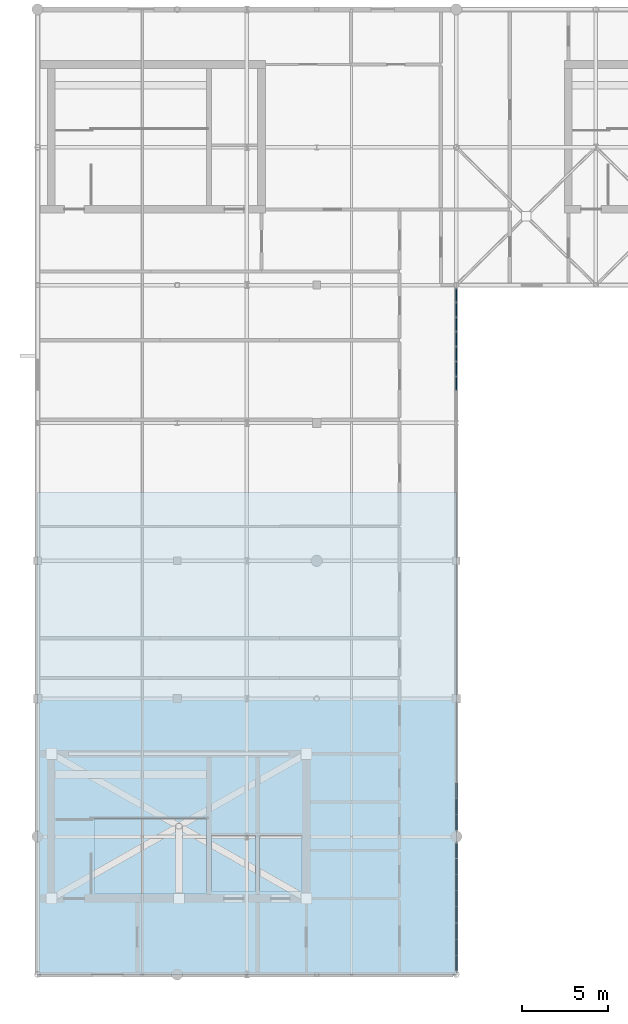
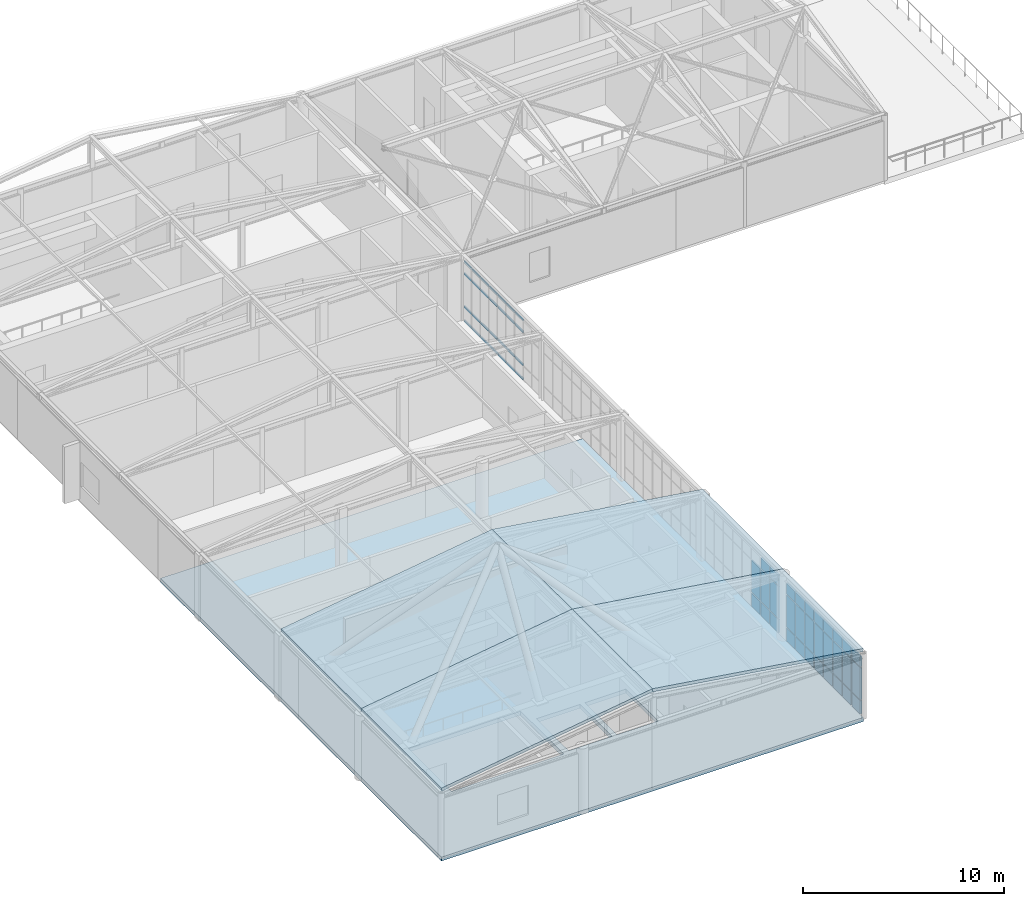
# One storey, part 11 of 21: 32 plates, 28 members, 5 slabs, 3 elements without a shape of their own.
"""IFC4 building model written with IfcOpenShell, lengths in metres."""

from ifc_helpers import new_model, si_unit, direction, frame, origin, origin_2d, place, context, subcontext, project, spatial, polyline, rectangle, outline, extrude, material, layer, layer_set, material_profile, profile_set, type_object, element, aggregate, save


model = new_model("IFC4")

# Units and contexts
model_context = context("Model", 3, precision=1e-05, world=origin(), true_north=direction((0.0, 1.0)))
body_context = subcontext(model_context, "Body", "Model", "MODEL_VIEW")
ifc_project = project(units=[si_unit("LENGTHUNIT", "METRE"), si_unit("AREAUNIT", "SQUARE_METRE"), si_unit("VOLUMEUNIT", "CUBIC_METRE"), si_unit("PLANEANGLEUNIT", "RADIAN"), si_unit("MASSUNIT", "GRAM", prefix="KILO")], contexts=[model_context])

# Site, building, storey
site_placement = place(None, origin())
site = spatial("IfcSite", under=ifc_project, at=site_placement, CompositionType="ELEMENT")
building_placement = place(site_placement, origin())
building = spatial("IfcBuilding", under=site, at=building_placement, Name="Tarnveldt Square Police Headquarters", CompositionType="ELEMENT")
storey_placement = place(building_placement, frame((0.0, 0.0, 33.300048828125)))
storey = spatial("IfcBuildingStorey", under=building, at=storey_placement, Name="L07", CompositionType="ELEMENT", Elevation=33.300048828125)

# Curtain wall, members
ifc_material_1 = material(Name="Triple-glazed low-e laminated vision glass", Category="glass")
curtain_wall_type_1 = type_object("IfcCurtainWallType", Name="CW-UP-771x366", PredefinedType="USERDEFINED", material=ifc_material_1)
curtain_wall_1_placement = place(storey_placement, origin())
curtain_wall_1 = element("IfcCurtainWall", 1, at=curtain_wall_1_placement, inside=storey, type_object=curtain_wall_type_1, Name="L07 Curtain Wall CW-L07-098", ObjectType="GLAZED CURTAIN WALL", PredefinedType="USERDEFINED")
ifc_material_2 = material(Name="Thermally broken anodised aluminium 6063-T6", Category="aluminium")
ifc_material_profile = material_profile(ifc_material_2, rectangle(XDim=0.06494140625, YDim=0.1201171875, at=origin_2d()), Name="CW-T65x120")
ifc_profile_set = profile_set([ifc_material_profile], Name="Thermally broken anodised aluminium 6063-T6")
member_type = type_object("IfcMemberType", Name="CWT-65x120", PredefinedType="USERDEFINED", material=ifc_profile_set)
member_1_placement = place(storey_placement, frame((40.5, 89.8916015625, 0.032470703125), z_axis=(0.0, 1.0, 0.0), x_axis=(-1.0, 0.0, 0.0)))
member_1 = element("IfcMember", 2, at=member_1_placement, type_object=member_type, Name="CW-UP55 transom 3.1", ObjectType="TRANSOM", PredefinedType="USERDEFINED", context=body_context, shape_type="SweptSolid", body=[
    extrude(rectangle(XDim=0.06494140625, YDim=0.1201171875, at=origin_2d()), origin(), (0.0, 0.0, 1.0), 0.7919921875),
])
member_2_placement = place(storey_placement, frame((40.5, 89.8916015625, 0.89990234375), z_axis=(0.0, 1.0, 0.0), x_axis=(-1.0, 0.0, 0.0)))
member_2 = element("IfcMember", 3, at=member_2_placement, type_object=member_type, Name="CW-UP55 transom 3.2", ObjectType="TRANSOM", PredefinedType="USERDEFINED", context=body_context, shape_type="SweptSolid", body=[
    extrude(rectangle(XDim=0.06494140625, YDim=0.1201171875, at=origin_2d()), origin(), (0.0, 0.0, 1.0), 0.7919921875),
])
member_3_placement = place(storey_placement, frame((40.5, 89.8916015625, 2.905029296875), z_axis=(0.0, 1.0, 0.0), x_axis=(-1.0, 0.0, 0.0)))
member_3 = element("IfcMember", 4, at=member_3_placement, type_object=member_type, Name="CW-UP55 transom 3.3", ObjectType="TRANSOM", PredefinedType="USERDEFINED", context=body_context, shape_type="SweptSolid", body=[
    extrude(rectangle(XDim=0.06494140625, YDim=0.1201171875, at=origin_2d()), origin(), (0.0, 0.0, 1.0), 0.7919921875),
])
member_4_placement = place(storey_placement, frame((40.5, 89.8916015625, 3.62255859375), z_axis=(0.0, 1.0, 0.0), x_axis=(-1.0, 0.0, 0.0)))
member_4 = element("IfcMember", 5, at=member_4_placement, type_object=member_type, Name="CW-UP55 transom 3.4", ObjectType="TRANSOM", PredefinedType="USERDEFINED", context=body_context, shape_type="SweptSolid", body=[
    extrude(rectangle(XDim=0.06494140625, YDim=0.1201171875, at=origin_2d()), origin(), (0.0, 0.0, 1.0), 0.7919921875),
])
member_5_placement = place(storey_placement, frame((40.5, 90.74853515625, 0.032470703125), z_axis=(0.0, 1.0, 0.0), x_axis=(-1.0, 0.0, 0.0)))
member_5 = element("IfcMember", 6, at=member_5_placement, type_object=member_type, Name="CW-UP55 transom 4.1", ObjectType="TRANSOM", PredefinedType="USERDEFINED", context=body_context, shape_type="SweptSolid", body=[
    extrude(rectangle(XDim=0.06494140625, YDim=0.1201171875, at=origin_2d()), origin(), (0.0, 0.0, 1.0), 0.7919921875),
])
member_6_placement = place(storey_placement, frame((40.5, 90.74853515625, 0.89990234375), z_axis=(0.0, 1.0, 0.0), x_axis=(-1.0, 0.0, 0.0)))
member_6 = element("IfcMember", 7, at=member_6_placement, type_object=member_type, Name="CW-UP55 transom 4.2", ObjectType="TRANSOM", PredefinedType="USERDEFINED", context=body_context, shape_type="SweptSolid", body=[
    extrude(rectangle(XDim=0.06494140625, YDim=0.1201171875, at=origin_2d()), origin(), (0.0, 0.0, 1.0), 0.7919921875),
])
member_7_placement = place(storey_placement, frame((40.5, 90.74853515625, 2.905029296875), z_axis=(0.0, 1.0, 0.0), x_axis=(-1.0, 0.0, 0.0)))
member_7 = element("IfcMember", 8, at=member_7_placement, type_object=member_type, Name="CW-UP55 transom 4.3", ObjectType="TRANSOM", PredefinedType="USERDEFINED", context=body_context, shape_type="SweptSolid", body=[
    extrude(rectangle(XDim=0.06494140625, YDim=0.1201171875, at=origin_2d()), origin(), (0.0, 0.0, 1.0), 0.7919921875),
])
member_8_placement = place(storey_placement, frame((40.5, 90.74853515625, 3.62255859375), z_axis=(0.0, 1.0, 0.0), x_axis=(-1.0, 0.0, 0.0)))
member_8 = element("IfcMember", 9, at=member_8_placement, type_object=member_type, Name="CW-UP55 transom 4.4", ObjectType="TRANSOM", PredefinedType="USERDEFINED", context=body_context, shape_type="SweptSolid", body=[
    extrude(rectangle(XDim=0.06494140625, YDim=0.1201171875, at=origin_2d()), origin(), (0.0, 0.0, 1.0), 0.7919921875),
])
member_9_placement = place(storey_placement, frame((40.5, 91.60546875, 0.032470703125), z_axis=(0.0, 1.0, 0.0), x_axis=(-1.0, 0.0, 0.0)))
member_9 = element("IfcMember", 10, at=member_9_placement, type_object=member_type, Name="CW-UP55 transom 5.1", ObjectType="TRANSOM", PredefinedType="USERDEFINED", context=body_context, shape_type="SweptSolid", body=[
    extrude(rectangle(XDim=0.06494140625, YDim=0.1201171875, at=origin_2d()), origin(), (0.0, 0.0, 1.0), 0.7919921875),
])
member_10_placement = place(storey_placement, frame((40.5, 91.60546875, 0.89990234375), z_axis=(0.0, 1.0, 0.0), x_axis=(-1.0, 0.0, 0.0)))
member_10 = element("IfcMember", 11, at=member_10_placement, type_object=member_type, Name="CW-UP55 transom 5.2", ObjectType="TRANSOM", PredefinedType="USERDEFINED", context=body_context, shape_type="SweptSolid", body=[
    extrude(rectangle(XDim=0.06494140625, YDim=0.1201171875, at=origin_2d()), origin(), (0.0, 0.0, 1.0), 0.7919921875),
])
member_11_placement = place(storey_placement, frame((40.5, 91.60546875, 2.905029296875), z_axis=(0.0, 1.0, 0.0), x_axis=(-1.0, 0.0, 0.0)))
member_11 = element("IfcMember", 12, at=member_11_placement, type_object=member_type, Name="CW-UP55 transom 5.3", ObjectType="TRANSOM", PredefinedType="USERDEFINED", context=body_context, shape_type="SweptSolid", body=[
    extrude(rectangle(XDim=0.06494140625, YDim=0.1201171875, at=origin_2d()), origin(), (0.0, 0.0, 1.0), 0.7919921875),
])
member_12_placement = place(storey_placement, frame((40.5, 91.60546875, 3.62255859375), z_axis=(0.0, 1.0, 0.0), x_axis=(-1.0, 0.0, 0.0)))
member_12 = element("IfcMember", 13, at=member_12_placement, type_object=member_type, Name="CW-UP55 transom 5.4", ObjectType="TRANSOM", PredefinedType="USERDEFINED", context=body_context, shape_type="SweptSolid", body=[
    extrude(rectangle(XDim=0.06494140625, YDim=0.1201171875, at=origin_2d()), origin(), (0.0, 0.0, 1.0), 0.7919921875),
])
member_13_placement = place(storey_placement, frame((40.5, 92.46240234375, 0.032470703125), z_axis=(0.0, 1.0, 0.0), x_axis=(-1.0, 0.0, 0.0)))
member_13 = element("IfcMember", 14, at=member_13_placement, type_object=member_type, Name="CW-UP55 transom 6.1", ObjectType="TRANSOM", PredefinedType="USERDEFINED", context=body_context, shape_type="SweptSolid", body=[
    extrude(rectangle(XDim=0.06494140625, YDim=0.1201171875, at=origin_2d()), origin(), (0.0, 0.0, 1.0), 0.7919921875),
])
member_14_placement = place(storey_placement, frame((40.5, 92.46240234375, 0.89990234375), z_axis=(0.0, 1.0, 0.0), x_axis=(-1.0, 0.0, 0.0)))
member_14 = element("IfcMember", 15, at=member_14_placement, type_object=member_type, Name="CW-UP55 transom 6.2", ObjectType="TRANSOM", PredefinedType="USERDEFINED", context=body_context, shape_type="SweptSolid", body=[
    extrude(rectangle(XDim=0.06494140625, YDim=0.1201171875, at=origin_2d()), origin(), (0.0, 0.0, 1.0), 0.7919921875),
])
member_15_placement = place(storey_placement, frame((40.5, 92.46240234375, 2.905029296875), z_axis=(0.0, 1.0, 0.0), x_axis=(-1.0, 0.0, 0.0)))
member_15 = element("IfcMember", 16, at=member_15_placement, type_object=member_type, Name="CW-UP55 transom 6.3", ObjectType="TRANSOM", PredefinedType="USERDEFINED", context=body_context, shape_type="SweptSolid", body=[
    extrude(rectangle(XDim=0.06494140625, YDim=0.1201171875, at=origin_2d()), origin(), (0.0, 0.0, 1.0), 0.7919921875),
])
member_16_placement = place(storey_placement, frame((40.5, 92.46240234375, 3.62255859375), z_axis=(0.0, 1.0, 0.0), x_axis=(-1.0, 0.0, 0.0)))
member_16 = element("IfcMember", 17, at=member_16_placement, type_object=member_type, Name="CW-UP55 transom 6.4", ObjectType="TRANSOM", PredefinedType="USERDEFINED", context=body_context, shape_type="SweptSolid", body=[
    extrude(rectangle(XDim=0.06494140625, YDim=0.1201171875, at=origin_2d()), origin(), (0.0, 0.0, 1.0), 0.7919921875),
])
member_17_placement = place(storey_placement, frame((40.5, 93.319580078125, 0.032470703125), z_axis=(0.0, 1.0, 0.0), x_axis=(-1.0, 0.0, 0.0)))
member_17 = element("IfcMember", 18, at=member_17_placement, type_object=member_type, Name="CW-UP55 transom 7.1", ObjectType="TRANSOM", PredefinedType="USERDEFINED", context=body_context, shape_type="SweptSolid", body=[
    extrude(rectangle(XDim=0.06494140625, YDim=0.1201171875, at=origin_2d()), origin(), (0.0, 0.0, 1.0), 0.7919921875),
])
member_18_placement = place(storey_placement, frame((40.5, 93.319580078125, 0.89990234375), z_axis=(0.0, 1.0, 0.0), x_axis=(-1.0, 0.0, 0.0)))
member_18 = element("IfcMember", 19, at=member_18_placement, type_object=member_type, Name="CW-UP55 transom 7.2", ObjectType="TRANSOM", PredefinedType="USERDEFINED", context=body_context, shape_type="SweptSolid", body=[
    extrude(rectangle(XDim=0.06494140625, YDim=0.1201171875, at=origin_2d()), origin(), (0.0, 0.0, 1.0), 0.7919921875),
])
member_19_placement = place(storey_placement, frame((40.5, 93.319580078125, 2.905029296875), z_axis=(0.0, 1.0, 0.0), x_axis=(-1.0, 0.0, 0.0)))
member_19 = element("IfcMember", 20, at=member_19_placement, type_object=member_type, Name="CW-UP55 transom 7.3", ObjectType="TRANSOM", PredefinedType="USERDEFINED", context=body_context, shape_type="SweptSolid", body=[
    extrude(rectangle(XDim=0.06494140625, YDim=0.1201171875, at=origin_2d()), origin(), (0.0, 0.0, 1.0), 0.7919921875),
])
member_20_placement = place(storey_placement, frame((40.5, 93.319580078125, 3.62255859375), z_axis=(0.0, 1.0, 0.0), x_axis=(-1.0, 0.0, 0.0)))
member_20 = element("IfcMember", 21, at=member_20_placement, type_object=member_type, Name="CW-UP55 transom 7.4", ObjectType="TRANSOM", PredefinedType="USERDEFINED", context=body_context, shape_type="SweptSolid", body=[
    extrude(rectangle(XDim=0.06494140625, YDim=0.1201171875, at=origin_2d()), origin(), (0.0, 0.0, 1.0), 0.7919921875),
])
member_21_placement = place(storey_placement, frame((40.5, 94.176513671875, 0.032470703125), z_axis=(0.0, 1.0, 0.0), x_axis=(-1.0, 0.0, 0.0)))
member_21 = element("IfcMember", 22, at=member_21_placement, type_object=member_type, Name="CW-UP55 transom 8.1", ObjectType="TRANSOM", PredefinedType="USERDEFINED", context=body_context, shape_type="SweptSolid", body=[
    extrude(rectangle(XDim=0.06494140625, YDim=0.1201171875, at=origin_2d()), origin(), (0.0, 0.0, 1.0), 0.7919921875),
])
member_22_placement = place(storey_placement, frame((40.5, 94.176513671875, 0.89990234375), z_axis=(0.0, 1.0, 0.0), x_axis=(-1.0, 0.0, 0.0)))
member_22 = element("IfcMember", 23, at=member_22_placement, type_object=member_type, Name="CW-UP55 transom 8.2", ObjectType="TRANSOM", PredefinedType="USERDEFINED", context=body_context, shape_type="SweptSolid", body=[
    extrude(rectangle(XDim=0.06494140625, YDim=0.1201171875, at=origin_2d()), origin(), (0.0, 0.0, 1.0), 0.7919921875),
])
member_23_placement = place(storey_placement, frame((40.5, 94.176513671875, 2.905029296875), z_axis=(0.0, 1.0, 0.0), x_axis=(-1.0, 0.0, 0.0)))
member_23 = element("IfcMember", 24, at=member_23_placement, type_object=member_type, Name="CW-UP55 transom 8.3", ObjectType="TRANSOM", PredefinedType="USERDEFINED", context=body_context, shape_type="SweptSolid", body=[
    extrude(rectangle(XDim=0.06494140625, YDim=0.1201171875, at=origin_2d()), origin(), (0.0, 0.0, 1.0), 0.7919921875),
])
member_24_placement = place(storey_placement, frame((40.5, 94.176513671875, 3.62255859375), z_axis=(0.0, 1.0, 0.0), x_axis=(-1.0, 0.0, 0.0)))
member_24 = element("IfcMember", 25, at=member_24_placement, type_object=member_type, Name="CW-UP55 transom 8.4", ObjectType="TRANSOM", PredefinedType="USERDEFINED", context=body_context, shape_type="SweptSolid", body=[
    extrude(rectangle(XDim=0.06494140625, YDim=0.1201171875, at=origin_2d()), origin(), (0.0, 0.0, 1.0), 0.7919921875),
])
member_25_placement = place(storey_placement, frame((40.5, 95.033447265625, 0.032470703125), z_axis=(0.0, 1.0, 0.0), x_axis=(-1.0, 0.0, 0.0)))
member_25 = element("IfcMember", 26, at=member_25_placement, type_object=member_type, Name="CW-UP55 transom 9.1", ObjectType="TRANSOM", PredefinedType="USERDEFINED", context=body_context, shape_type="SweptSolid", body=[
    extrude(rectangle(XDim=0.06494140625, YDim=0.1201171875, at=origin_2d()), origin(), (0.0, 0.0, 1.0), 0.759521484375),
])
member_26_placement = place(storey_placement, frame((40.5, 95.033447265625, 0.89990234375), z_axis=(0.0, 1.0, 0.0), x_axis=(-1.0, 0.0, 0.0)))
member_26 = element("IfcMember", 27, at=member_26_placement, type_object=member_type, Name="CW-UP55 transom 9.2", ObjectType="TRANSOM", PredefinedType="USERDEFINED", context=body_context, shape_type="SweptSolid", body=[
    extrude(rectangle(XDim=0.06494140625, YDim=0.1201171875, at=origin_2d()), origin(), (0.0, 0.0, 1.0), 0.759521484375),
])
member_27_placement = place(storey_placement, frame((40.5, 95.033447265625, 2.905029296875), z_axis=(0.0, 1.0, 0.0), x_axis=(-1.0, 0.0, 0.0)))
member_27 = element("IfcMember", 28, at=member_27_placement, type_object=member_type, Name="CW-UP55 transom 9.3", ObjectType="TRANSOM", PredefinedType="USERDEFINED", context=body_context, shape_type="SweptSolid", body=[
    extrude(rectangle(XDim=0.06494140625, YDim=0.1201171875, at=origin_2d()), origin(), (0.0, 0.0, 1.0), 0.759521484375),
])
member_28_placement = place(storey_placement, frame((40.5, 95.033447265625, 3.62255859375), z_axis=(0.0, 1.0, 0.0), x_axis=(-1.0, 0.0, 0.0)))
member_28 = element("IfcMember", 29, at=member_28_placement, type_object=member_type, Name="CW-UP55 transom 9.4", ObjectType="TRANSOM", PredefinedType="USERDEFINED", context=body_context, shape_type="SweptSolid", body=[
    extrude(rectangle(XDim=0.06494140625, YDim=0.1201171875, at=origin_2d()), origin(), (0.0, 0.0, 1.0), 0.759521484375),
])
aggregate(curtain_wall_1, [member_1, member_2, member_3, member_4, member_5, member_6, member_7, member_8, member_9, member_10, member_11, member_12, member_13, member_14, member_15, member_16, member_17, member_18, member_19, member_20, member_21, member_22, member_23, member_24, member_25, member_26, member_27, member_28])

# Curtain wall, plates
curtain_wall_type_2 = type_object("IfcCurtainWallType", Name="CW-UP-748x366", PredefinedType="USERDEFINED", material=ifc_material_1)
curtain_wall_2_placement = place(storey_placement, origin())
curtain_wall_2 = element("IfcCurtainWall", 30, at=curtain_wall_2_placement, inside=storey, type_object=curtain_wall_type_2, Name="L07 Curtain Wall CW-L07-094", ObjectType="GLAZED CURTAIN WALL", PredefinedType="USERDEFINED")
ifc_material_3 = material(Name="Insulated anodised aluminium spandrel panel", Category="aluminium")
ifc_layer_1 = layer(ifc_material_3, 0.090087890625)
ifc_layer_set_1 = layer_set([ifc_layer_1], Name="Insulated anodised aluminium spandrel panel")
plate_type = type_object("IfcPlateType", Name="CWP-SPN-90", PredefinedType="CURTAIN_PANEL", material=ifc_layer_set_1)
plate_1_placement = place(storey_placement, frame((40.5, 56.660888671875, 0.06494140625), z_axis=(0.0, 0.0, 1.0), x_axis=(0.0, 1.0, 0.0)))
plate_1 = element("IfcPlate", 31, at=plate_1_placement, type_object=plate_type, Name="CW-UP51 panel 1.1", PredefinedType="CURTAIN_PANEL", context=body_context, shape_type="SweptSolid", body=[
    extrude(rectangle(XDim=0.837890625, YDim=0.090087890625, at=origin_2d()), origin(), (0.0, 0.0, 1.0), 0.802490234375),
])
plate_2_placement = place(storey_placement, frame((40.5, 56.660888671875, 0.932373046875), z_axis=(0.0, 0.0, 1.0), x_axis=(0.0, 1.0, 0.0)))
plate_2 = element("IfcPlate", 32, at=plate_2_placement, type_object=plate_type, Name="CW-UP51 panel 1.2", PredefinedType="CURTAIN_PANEL", context=body_context, shape_type="SweptSolid", body=[
    extrude(rectangle(XDim=0.837890625, YDim=0.090087890625, at=origin_2d()), origin(), (0.0, 0.0, 1.0), 1.93994140625),
])
plate_3_placement = place(storey_placement, frame((40.5, 56.660888671875, 2.9375), z_axis=(0.0, 0.0, 1.0), x_axis=(0.0, 1.0, 0.0)))
plate_3 = element("IfcPlate", 33, at=plate_3_placement, type_object=plate_type, Name="CW-UP51 panel 1.3", PredefinedType="CURTAIN_PANEL", context=body_context, shape_type="SweptSolid", body=[
    extrude(rectangle(XDim=0.837890625, YDim=0.090087890625, at=origin_2d()), origin(), (0.0, 0.0, 1.0), 0.652587890625),
])
plate_4_placement = place(storey_placement, frame((40.5, 57.580078125, 0.06494140625), z_axis=(0.0, 0.0, 1.0), x_axis=(0.0, 1.0, 0.0)))
plate_4 = element("IfcPlate", 34, at=plate_4_placement, type_object=plate_type, Name="CW-UP51 panel 2.1", PredefinedType="CURTAIN_PANEL", context=body_context, shape_type="SweptSolid", body=[
    extrude(rectangle(XDim=0.870361328125, YDim=0.090087890625, at=origin_2d()), origin(), (0.0, 0.0, 1.0), 0.802490234375),
])
plate_5_placement = place(storey_placement, frame((40.5, 57.580078125, 0.932373046875), z_axis=(0.0, 0.0, 1.0), x_axis=(0.0, 1.0, 0.0)))
plate_5 = element("IfcPlate", 35, at=plate_5_placement, type_object=plate_type, Name="CW-UP51 panel 2.2", PredefinedType="CURTAIN_PANEL", context=body_context, shape_type="SweptSolid", body=[
    extrude(rectangle(XDim=0.870361328125, YDim=0.090087890625, at=origin_2d()), origin(), (0.0, 0.0, 1.0), 1.93994140625),
])
plate_6_placement = place(storey_placement, frame((40.5, 57.580078125, 2.9375), z_axis=(0.0, 0.0, 1.0), x_axis=(0.0, 1.0, 0.0)))
plate_6 = element("IfcPlate", 36, at=plate_6_placement, type_object=plate_type, Name="CW-UP51 panel 2.3", PredefinedType="CURTAIN_PANEL", context=body_context, shape_type="SweptSolid", body=[
    extrude(rectangle(XDim=0.870361328125, YDim=0.090087890625, at=origin_2d()), origin(), (0.0, 0.0, 1.0), 0.652587890625),
])
plate_7_placement = place(storey_placement, frame((40.5, 58.515380859375, 0.06494140625), z_axis=(0.0, 0.0, 1.0), x_axis=(0.0, 1.0, 0.0)))
plate_7 = element("IfcPlate", 37, at=plate_7_placement, type_object=plate_type, Name="CW-UP51 panel 3.1", PredefinedType="CURTAIN_PANEL", context=body_context, shape_type="SweptSolid", body=[
    extrude(rectangle(XDim=0.870361328125, YDim=0.090087890625, at=origin_2d()), origin(), (0.0, 0.0, 1.0), 0.802490234375),
])
plate_8_placement = place(storey_placement, frame((40.5, 58.515380859375, 0.932373046875), z_axis=(0.0, 0.0, 1.0), x_axis=(0.0, 1.0, 0.0)))
plate_8 = element("IfcPlate", 38, at=plate_8_placement, type_object=plate_type, Name="CW-UP51 panel 3.2", PredefinedType="CURTAIN_PANEL", context=body_context, shape_type="SweptSolid", body=[
    extrude(rectangle(XDim=0.870361328125, YDim=0.090087890625, at=origin_2d()), origin(), (0.0, 0.0, 1.0), 1.93994140625),
])
plate_9_placement = place(storey_placement, frame((40.5, 58.515380859375, 2.9375), z_axis=(0.0, 0.0, 1.0), x_axis=(0.0, 1.0, 0.0)))
plate_9 = element("IfcPlate", 39, at=plate_9_placement, type_object=plate_type, Name="CW-UP51 panel 3.3", PredefinedType="CURTAIN_PANEL", context=body_context, shape_type="SweptSolid", body=[
    extrude(rectangle(XDim=0.870361328125, YDim=0.090087890625, at=origin_2d()), origin(), (0.0, 0.0, 1.0), 0.652587890625),
])
plate_10_placement = place(storey_placement, frame((40.5, 59.450927734375, 0.06494140625), z_axis=(0.0, 0.0, 1.0), x_axis=(0.0, 1.0, 0.0)))
plate_10 = element("IfcPlate", 40, at=plate_10_placement, type_object=plate_type, Name="CW-UP51 panel 4.1", PredefinedType="CURTAIN_PANEL", context=body_context, shape_type="SweptSolid", body=[
    extrude(rectangle(XDim=0.870361328125, YDim=0.090087890625, at=origin_2d()), origin(), (0.0, 0.0, 1.0), 0.802490234375),
])
plate_11_placement = place(storey_placement, frame((40.5, 59.450927734375, 0.932373046875), z_axis=(0.0, 0.0, 1.0), x_axis=(0.0, 1.0, 0.0)))
plate_11 = element("IfcPlate", 41, at=plate_11_placement, type_object=plate_type, Name="CW-UP51 panel 4.2", PredefinedType="CURTAIN_PANEL", context=body_context, shape_type="SweptSolid", body=[
    extrude(rectangle(XDim=0.870361328125, YDim=0.090087890625, at=origin_2d()), origin(), (0.0, 0.0, 1.0), 1.93994140625),
])
plate_12_placement = place(storey_placement, frame((40.5, 59.450927734375, 2.9375), z_axis=(0.0, 0.0, 1.0), x_axis=(0.0, 1.0, 0.0)))
plate_12 = element("IfcPlate", 42, at=plate_12_placement, type_object=plate_type, Name="CW-UP51 panel 4.3", PredefinedType="CURTAIN_PANEL", context=body_context, shape_type="SweptSolid", body=[
    extrude(rectangle(XDim=0.870361328125, YDim=0.090087890625, at=origin_2d()), origin(), (0.0, 0.0, 1.0), 0.652587890625),
])
plate_13_placement = place(storey_placement, frame((40.5, 60.38623046875, 0.06494140625), z_axis=(0.0, 0.0, 1.0), x_axis=(0.0, 1.0, 0.0)))
plate_13 = element("IfcPlate", 43, at=plate_13_placement, type_object=plate_type, Name="CW-UP51 panel 5.1", PredefinedType="CURTAIN_PANEL", context=body_context, shape_type="SweptSolid", body=[
    extrude(rectangle(XDim=0.870361328125, YDim=0.090087890625, at=origin_2d()), origin(), (0.0, 0.0, 1.0), 0.802490234375),
])
plate_14_placement = place(storey_placement, frame((40.5, 60.38623046875, 0.932373046875), z_axis=(0.0, 0.0, 1.0), x_axis=(0.0, 1.0, 0.0)))
plate_14 = element("IfcPlate", 44, at=plate_14_placement, type_object=plate_type, Name="CW-UP51 panel 5.2", PredefinedType="CURTAIN_PANEL", context=body_context, shape_type="SweptSolid", body=[
    extrude(rectangle(XDim=0.870361328125, YDim=0.090087890625, at=origin_2d()), origin(), (0.0, 0.0, 1.0), 1.93994140625),
])
plate_15_placement = place(storey_placement, frame((40.5, 60.38623046875, 2.9375), z_axis=(0.0, 0.0, 1.0), x_axis=(0.0, 1.0, 0.0)))
plate_15 = element("IfcPlate", 45, at=plate_15_placement, type_object=plate_type, Name="CW-UP51 panel 5.3", PredefinedType="CURTAIN_PANEL", context=body_context, shape_type="SweptSolid", body=[
    extrude(rectangle(XDim=0.870361328125, YDim=0.090087890625, at=origin_2d()), origin(), (0.0, 0.0, 1.0), 0.652587890625),
])
plate_16_placement = place(storey_placement, frame((40.5, 61.321533203125, 0.06494140625), z_axis=(0.0, 0.0, 1.0), x_axis=(0.0, 1.0, 0.0)))
plate_16 = element("IfcPlate", 46, at=plate_16_placement, type_object=plate_type, Name="CW-UP51 panel 6.1", PredefinedType="CURTAIN_PANEL", context=body_context, shape_type="SweptSolid", body=[
    extrude(rectangle(XDim=0.870361328125, YDim=0.090087890625, at=origin_2d()), origin(), (0.0, 0.0, 1.0), 0.802490234375),
])
plate_17_placement = place(storey_placement, frame((40.5, 61.321533203125, 0.932373046875), z_axis=(0.0, 0.0, 1.0), x_axis=(0.0, 1.0, 0.0)))
plate_17 = element("IfcPlate", 47, at=plate_17_placement, type_object=plate_type, Name="CW-UP51 panel 6.2", PredefinedType="CURTAIN_PANEL", context=body_context, shape_type="SweptSolid", body=[
    extrude(rectangle(XDim=0.870361328125, YDim=0.090087890625, at=origin_2d()), origin(), (0.0, 0.0, 1.0), 1.93994140625),
])
plate_18_placement = place(storey_placement, frame((40.5, 61.321533203125, 2.9375), z_axis=(0.0, 0.0, 1.0), x_axis=(0.0, 1.0, 0.0)))
plate_18 = element("IfcPlate", 48, at=plate_18_placement, type_object=plate_type, Name="CW-UP51 panel 6.3", PredefinedType="CURTAIN_PANEL", context=body_context, shape_type="SweptSolid", body=[
    extrude(rectangle(XDim=0.870361328125, YDim=0.090087890625, at=origin_2d()), origin(), (0.0, 0.0, 1.0), 0.652587890625),
])
plate_19_placement = place(storey_placement, frame((40.5, 62.2568359375, 0.06494140625), z_axis=(0.0, 0.0, 1.0), x_axis=(0.0, 1.0, 0.0)))
plate_19 = element("IfcPlate", 49, at=plate_19_placement, type_object=plate_type, Name="CW-UP51 panel 7.1", PredefinedType="CURTAIN_PANEL", context=body_context, shape_type="SweptSolid", body=[
    extrude(rectangle(XDim=0.870361328125, YDim=0.090087890625, at=origin_2d()), origin(), (0.0, 0.0, 1.0), 0.802490234375),
])
plate_20_placement = place(storey_placement, frame((40.5, 62.2568359375, 0.932373046875), z_axis=(0.0, 0.0, 1.0), x_axis=(0.0, 1.0, 0.0)))
plate_20 = element("IfcPlate", 50, at=plate_20_placement, type_object=plate_type, Name="CW-UP51 panel 7.2", PredefinedType="CURTAIN_PANEL", context=body_context, shape_type="SweptSolid", body=[
    extrude(rectangle(XDim=0.870361328125, YDim=0.090087890625, at=origin_2d()), origin(), (0.0, 0.0, 1.0), 1.93994140625),
])
plate_21_placement = place(storey_placement, frame((40.5, 62.2568359375, 2.9375), z_axis=(0.0, 0.0, 1.0), x_axis=(0.0, 1.0, 0.0)))
plate_21 = element("IfcPlate", 51, at=plate_21_placement, type_object=plate_type, Name="CW-UP51 panel 7.3", PredefinedType="CURTAIN_PANEL", context=body_context, shape_type="SweptSolid", body=[
    extrude(rectangle(XDim=0.870361328125, YDim=0.090087890625, at=origin_2d()), origin(), (0.0, 0.0, 1.0), 0.652587890625),
])
plate_22_placement = place(storey_placement, frame((40.5, 63.176025390625, 0.06494140625), z_axis=(0.0, 0.0, 1.0), x_axis=(0.0, 1.0, 0.0)))
plate_22 = element("IfcPlate", 52, at=plate_22_placement, type_object=plate_type, Name="CW-UP51 panel 8.1", PredefinedType="CURTAIN_PANEL", context=body_context, shape_type="SweptSolid", body=[
    extrude(rectangle(XDim=0.837890625, YDim=0.090087890625, at=origin_2d()), origin(), (0.0, 0.0, 1.0), 0.802490234375),
])
plate_23_placement = place(storey_placement, frame((40.5, 63.176025390625, 0.932373046875), z_axis=(0.0, 0.0, 1.0), x_axis=(0.0, 1.0, 0.0)))
plate_23 = element("IfcPlate", 53, at=plate_23_placement, type_object=plate_type, Name="CW-UP51 panel 8.2", PredefinedType="CURTAIN_PANEL", context=body_context, shape_type="SweptSolid", body=[
    extrude(rectangle(XDim=0.837890625, YDim=0.090087890625, at=origin_2d()), origin(), (0.0, 0.0, 1.0), 1.93994140625),
])
plate_24_placement = place(storey_placement, frame((40.5, 63.176025390625, 2.9375), z_axis=(0.0, 0.0, 1.0), x_axis=(0.0, 1.0, 0.0)))
plate_24 = element("IfcPlate", 54, at=plate_24_placement, type_object=plate_type, Name="CW-UP51 panel 8.3", PredefinedType="CURTAIN_PANEL", context=body_context, shape_type="SweptSolid", body=[
    extrude(rectangle(XDim=0.837890625, YDim=0.090087890625, at=origin_2d()), origin(), (0.0, 0.0, 1.0), 0.652587890625),
])
aggregate(curtain_wall_2, [plate_1, plate_2, plate_3, plate_4, plate_5, plate_6, plate_7, plate_8, plate_9, plate_10, plate_11, plate_12, plate_13, plate_14, plate_15, plate_16, plate_17, plate_18, plate_19, plate_20, plate_21, plate_22, plate_23, plate_24])

curtain_wall_type_3 = type_object("IfcCurtainWallType", Name="CW-UP-739x366", PredefinedType="USERDEFINED", material=ifc_material_1)
curtain_wall_3_placement = place(storey_placement, origin())
curtain_wall_3 = element("IfcCurtainWall", 55, at=curtain_wall_3_placement, inside=storey, type_object=curtain_wall_type_3, Name="L07 Curtain Wall CW-L07-095", ObjectType="GLAZED CURTAIN WALL", PredefinedType="USERDEFINED")
plate_25_placement = place(storey_placement, frame((40.5, 64.818359375, 0.06494140625), z_axis=(0.0, 0.0, 1.0), x_axis=(0.0, 1.0, 0.0)))
plate_25 = element("IfcPlate", 56, at=plate_25_placement, type_object=plate_type, Name="CW-UP52 panel 1.1", PredefinedType="CURTAIN_PANEL", context=body_context, shape_type="SweptSolid", body=[
    extrude(rectangle(XDim=0.826904296875, YDim=0.090087890625, at=origin_2d()), origin(), (0.0, 0.0, 1.0), 0.802490234375),
])
plate_26_placement = place(storey_placement, frame((40.5, 64.818359375, 0.932373046875), z_axis=(0.0, 0.0, 1.0), x_axis=(0.0, 1.0, 0.0)))
plate_26 = element("IfcPlate", 57, at=plate_26_placement, type_object=plate_type, Name="CW-UP52 panel 1.2", PredefinedType="CURTAIN_PANEL", context=body_context, shape_type="SweptSolid", body=[
    extrude(rectangle(XDim=0.826904296875, YDim=0.090087890625, at=origin_2d()), origin(), (0.0, 0.0, 1.0), 1.93994140625),
])
plate_27_placement = place(storey_placement, frame((40.5, 64.818359375, 2.9375), z_axis=(0.0, 0.0, 1.0), x_axis=(0.0, 1.0, 0.0)))
plate_27 = element("IfcPlate", 58, at=plate_27_placement, type_object=plate_type, Name="CW-UP52 panel 1.3", PredefinedType="CURTAIN_PANEL", context=body_context, shape_type="SweptSolid", body=[
    extrude(rectangle(XDim=0.826904296875, YDim=0.090087890625, at=origin_2d()), origin(), (0.0, 0.0, 1.0), 0.652587890625),
])
plate_28_placement = place(storey_placement, frame((40.5, 65.7265625, 0.06494140625), z_axis=(0.0, 0.0, 1.0), x_axis=(0.0, 1.0, 0.0)))
plate_28 = element("IfcPlate", 59, at=plate_28_placement, type_object=plate_type, Name="CW-UP52 panel 2.1", PredefinedType="CURTAIN_PANEL", context=body_context, shape_type="SweptSolid", body=[
    extrude(rectangle(XDim=0.859375, YDim=0.090087890625, at=origin_2d()), origin(), (0.0, 0.0, 1.0), 0.802490234375),
])
plate_29_placement = place(storey_placement, frame((40.5, 65.7265625, 0.932373046875), z_axis=(0.0, 0.0, 1.0), x_axis=(0.0, 1.0, 0.0)))
plate_29 = element("IfcPlate", 60, at=plate_29_placement, type_object=plate_type, Name="CW-UP52 panel 2.2", PredefinedType="CURTAIN_PANEL", context=body_context, shape_type="SweptSolid", body=[
    extrude(rectangle(XDim=0.859375, YDim=0.090087890625, at=origin_2d()), origin(), (0.0, 0.0, 1.0), 1.93994140625),
])
plate_30_placement = place(storey_placement, frame((40.5, 65.7265625, 2.9375), z_axis=(0.0, 0.0, 1.0), x_axis=(0.0, 1.0, 0.0)))
plate_30 = element("IfcPlate", 61, at=plate_30_placement, type_object=plate_type, Name="CW-UP52 panel 2.3", PredefinedType="CURTAIN_PANEL", context=body_context, shape_type="SweptSolid", body=[
    extrude(rectangle(XDim=0.859375, YDim=0.090087890625, at=origin_2d()), origin(), (0.0, 0.0, 1.0), 0.652587890625),
])
plate_31_placement = place(storey_placement, frame((40.5, 66.65087890625, 0.06494140625), z_axis=(0.0, 0.0, 1.0), x_axis=(0.0, 1.0, 0.0)))
plate_31 = element("IfcPlate", 62, at=plate_31_placement, type_object=plate_type, Name="CW-UP52 panel 3.1", PredefinedType="CURTAIN_PANEL", context=body_context, shape_type="SweptSolid", body=[
    extrude(rectangle(XDim=0.859375, YDim=0.090087890625, at=origin_2d()), origin(), (0.0, 0.0, 1.0), 0.802490234375),
])
plate_32_placement = place(storey_placement, frame((40.5, 66.65087890625, 0.932373046875), z_axis=(0.0, 0.0, 1.0), x_axis=(0.0, 1.0, 0.0)))
plate_32 = element("IfcPlate", 63, at=plate_32_placement, type_object=plate_type, Name="CW-UP52 panel 3.2", PredefinedType="CURTAIN_PANEL", context=body_context, shape_type="SweptSolid", body=[
    extrude(rectangle(XDim=0.859375, YDim=0.090087890625, at=origin_2d()), origin(), (0.0, 0.0, 1.0), 1.93994140625),
])
aggregate(curtain_wall_3, [plate_25, plate_26, plate_27, plate_28, plate_29, plate_30, plate_31, plate_32])

# Slabs
ifc_material_4 = material(Name="Precast concrete 35 MPa", Category="concrete")
ifc_layer_2 = layer(ifc_material_4, 0.18994140625)
ifc_layer_set_2 = layer_set([ifc_layer_2], Name="Precast concrete 35 MPa")
slab_type_1 = type_object("IfcSlabType", Name="SL-PITCH-190", PredefinedType="ROOF", material=ifc_layer_set_2)
slab_1_placement = place(storey_placement, frame((16.199951171875, 56.0, 4.199951171875), z_axis=(-0.146550822179, 0.0, 0.98920314219), x_axis=(0.0, 1.0, 0.0)))
element("IfcSlab", 64, at=slab_1_placement, inside=storey, type_object=slab_type_1, Name="Operations Wing Snow-Shedding Roof West 1", PredefinedType="ROOF", context=body_context, shape_type="SweptSolid", body=[
    extrude(outline(polyline([(0.0, 0.0), (8.0, 0.0), (8.0, -12.282761716137147), (0.0, -12.282761716137147), (0.0, 0.0)])), origin(), (0.0, 0.0, -1.0), 0.18994140625),
])
slab_2_placement = place(storey_placement, frame((28.35009765625, 56.0, 6.0), z_axis=(0.146553703729, 0.0, 0.989202715283), x_axis=(0.0, 1.0, 0.0)))
element("IfcSlab", 65, at=slab_2_placement, inside=storey, type_object=slab_type_1, Name="Operations Wing Snow-Shedding Roof East 1", PredefinedType="ROOF", context=body_context, shape_type="SweptSolid", body=[
    extrude(outline(polyline([(0.0, 0.0), (8.0, 0.0), (8.0, -12.282520211515873), (0.0, -12.282520211515873), (0.0, 0.0)])), origin(), (0.0, 0.0, -1.0), 0.18994140625),
])
slab_3_placement = place(storey_placement, frame((16.199951171875, 64.0, 4.199951171875), z_axis=(-0.146550822179, 0.0, 0.98920314219), x_axis=(0.0, 1.0, 0.0)))
element("IfcSlab", 66, at=slab_3_placement, inside=storey, type_object=slab_type_1, Name="Operations Wing Snow-Shedding Roof West 2", PredefinedType="ROOF", context=body_context, shape_type="SweptSolid", body=[
    extrude(outline(polyline([(0.0, 0.0), (8.0, 0.0), (8.0, -12.282761716137147), (0.0, -12.282761716137147), (0.0, 0.0)])), origin(), (0.0, 0.0, -1.0), 0.18994140625),
])
slab_4_placement = place(storey_placement, frame((28.35009765625, 64.0, 6.0), z_axis=(0.146553703729, 0.0, 0.989202715283), x_axis=(0.0, 1.0, 0.0)))
element("IfcSlab", 67, at=slab_4_placement, inside=storey, type_object=slab_type_1, Name="Operations Wing Snow-Shedding Roof East 2", PredefinedType="ROOF", context=body_context, shape_type="SweptSolid", body=[
    extrude(outline(polyline([(0.0, 0.0), (8.0, 0.0), (8.0, -12.282520211515873), (0.0, -12.282520211515873), (0.0, 0.0)])), origin(), (0.0, 0.0, -1.0), 0.18994140625),
])
ifc_material_5 = material(Name="Concrete 40 MPa", Category="concrete")
ifc_layer_3 = layer(ifc_material_5, 0.239990234375)
ifc_layer_set_3 = layer_set([ifc_layer_3], Name="Concrete 40 MPa")
slab_type_2 = type_object("IfcSlabType", Name="SL-UPP-240", PredefinedType="FLOOR", material=ifc_layer_set_3)
slab_5_placement = place(storey_placement, frame((0.0, 0.0, -0.239990234375)))
element("IfcSlab", 68, at=slab_5_placement, inside=storey, type_object=slab_type_2, Name="L07 Structural Floor Slab L07-V5-1", PredefinedType="FLOOR", context=body_context, shape_type="SweptSolid", body=[
    extrude(outline(polyline([(40.5, 56.0), (16.199951171875, 56.0), (16.199951171875, 84.0), (40.5, 84.0), (40.5, 56.0)]), holes=[polyline([(28.8349609375, 60.85009765625), (28.8349609375, 64.050048828125), (26.330078125, 64.050048828125), (26.330078125, 60.85009765625), (28.8349609375, 60.85009765625)]), polyline([(29.114990234375, 60.85009765625), (31.47998046875, 60.85009765625), (31.47998046875, 64.050048828125), (29.114990234375, 64.050048828125), (29.114990234375, 60.85009765625)]), polyline([(19.510009765625, 60.719970703125), (25.969970703125, 60.719970703125), (25.969970703125, 65.02001953125), (19.510009765625, 65.02001953125), (19.510009765625, 60.719970703125)])]), origin(), (0.0, 0.0, 1.0), 0.239990234375),
])

save(model, "model.ifc")
